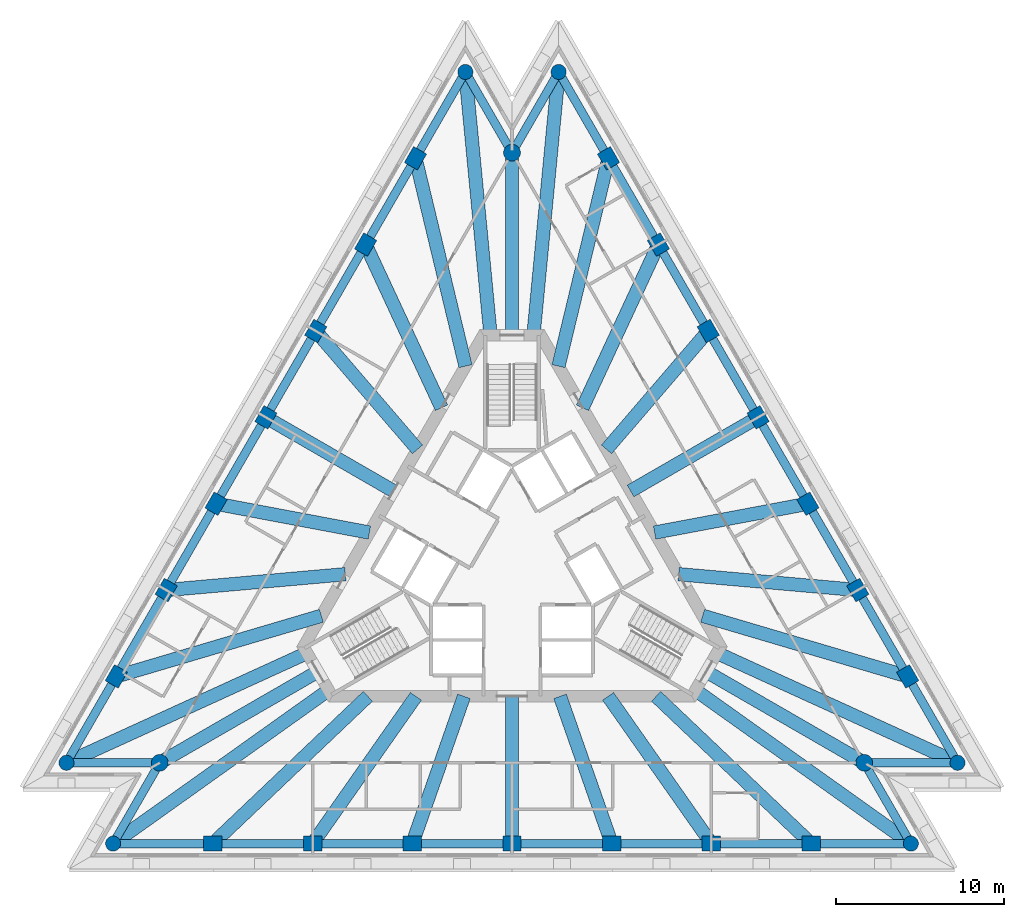
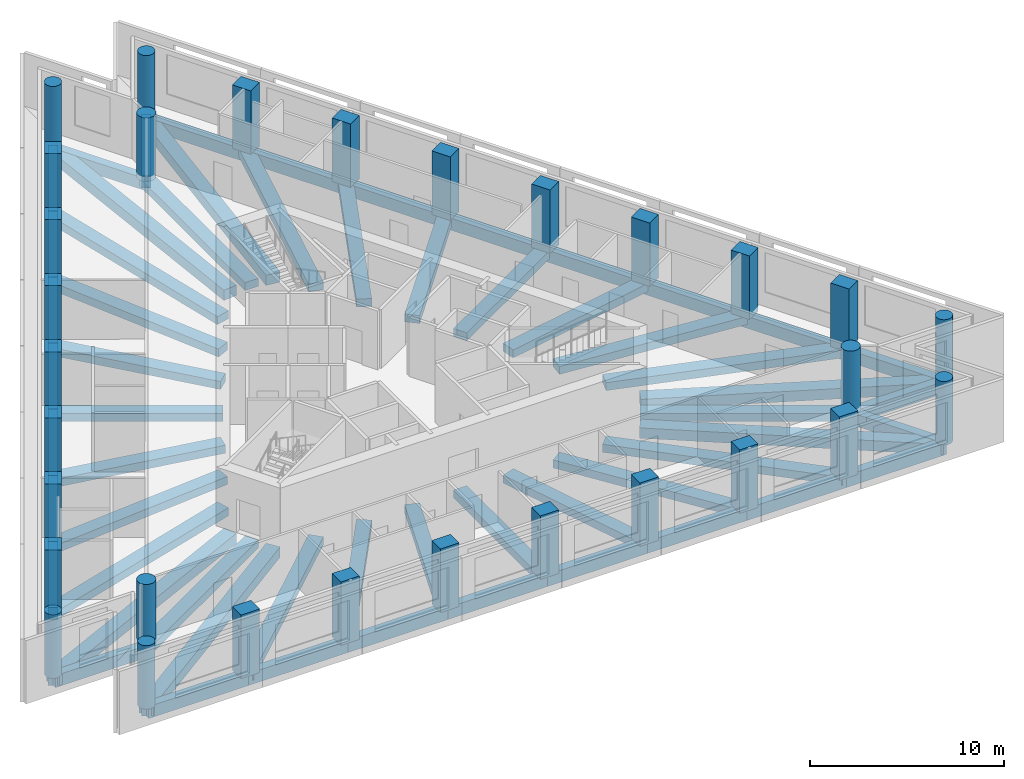
# One storey, part 1 of 9: 60 beams, 30 columns.
"""IFC4 building model written with IfcOpenShell, lengths in metres."""

from ifc_helpers import new_model, si_unit, direction, frame, origin, origin_2d, place, context, subcontext, project, spatial, rectangle, circle, extrude, material, material_profile, profile_set, type_object, element, save


model = new_model("IFC4")

# Units and contexts
model_context = context("Model", 3, precision=1e-05, world=origin(), true_north=direction((0.0, 1.0)))
body_context = subcontext(model_context, "Body", "Model", "MODEL_VIEW")
ifc_project = project(units=[si_unit("LENGTHUNIT", "METRE"), si_unit("AREAUNIT", "SQUARE_METRE"), si_unit("VOLUMEUNIT", "CUBIC_METRE"), si_unit("PLANEANGLEUNIT", "RADIAN"), si_unit("MASSUNIT", "GRAM", prefix="KILO")], contexts=[model_context])

# Site, building, storey
site_placement = place(None, origin())
site = spatial("IfcSite", under=ifc_project, at=site_placement, CompositionType="ELEMENT")
building_placement = place(site_placement, origin())
building = spatial("IfcBuilding", under=site, at=building_placement, Name="Triada Interchange Tower", CompositionType="ELEMENT")
storey_placement = place(building_placement, frame((0.0, 0.0, 227.300048828125)))
storey = spatial("IfcBuildingStorey", under=building, at=storey_placement, Name="L53", CompositionType="ELEMENT", Elevation=227.300048828125)

# Columns
ifc_material = material(Name="Concrete C50/60", Category="concrete")
ifc_material_profile_1 = material_profile(ifc_material, rectangle(XDim=1.10009765625, YDim=0.89990234375, at=origin_2d()), Name="RC 1100x900")
ifc_profile_set_1 = profile_set([ifc_material_profile_1], Name="Concrete C50/60")
column_type_1 = type_object("IfcColumnType", Name="Column C face RC 1100x900", PredefinedType="COLUMN", material=ifc_profile_set_1)
for number, where, z_axis, x_axis, name in (
    (1, (-5.7451171875, 23.882080078125, -0.300048828125), (0.0, 0.0, 1.0), (0.5, 0.866025403784, 0.0), "Column CC02 L53"),
    (2, (-8.714111328125, 18.740966796875, -0.300048828125), (0.0, 0.0, 1.0), (0.5, 0.866025403784, 0.0), "Column CC03 L53"),
    (3, (-11.681884765625, 13.60009765625, -0.300048828125), (0.0, 0.0, 1.0), (0.5, 0.866025403784, 0.0), "Column CC04 L53"),
    (4, (-14.65087890625, 8.4580078125, -0.300048828125), (0.0, 0.0, 1.0), (0.5, 0.866025403784, 0.0), "Column CC05 L53"),
    (5, (-17.618896484375, 3.31689453125, -0.300048828125), (0.0, 0.0, 1.0), (0.5, 0.866025403784, 0.0), "Column CC06 L53"),
    (6, (-20.5869140625, -1.823974609375, -0.300048828125), (0.0, 0.0, 1.0), (0.5, 0.866025403784, 0.0), "Column CC07 L53"),
    (7, (-23.555908203125, -6.965087890625, -0.300048828125), (0.0, 0.0, 1.0), (0.5, 0.866025403784, 0.0), "Column CC08 L53"),
    (8, (-17.81005859375, -16.9169921875, -0.300048828125), (0.0, 0.0, 1.0), (1.0, 0.0, 0.0), "Column CC11 L53"),
    (9, (-11.873046875, -16.9169921875, -0.300048828125), (0.0, 0.0, 1.0), (1.0, 0.0, 0.0), "Column CC12 L53"),
    (10, (-5.93603515625, -16.9169921875, -0.300048828125), (0.0, 0.0, 1.0), (1.0, 0.0, 0.0), "Column CC13 L53"),
    (11, (0.0, -16.9169921875, -0.300048828125), (0.0, 0.0, 1.0), (1.0, 0.0, 0.0), "Column CC14 L53"),
    (12, (5.93603515625, -16.9169921875, -0.300048828125), (0.0, 0.0, 1.0), (1.0, 0.0, 0.0), "Column CC15 L53"),
    (13, (11.873046875, -16.9169921875, -0.300048828125), (0.0, 0.0, 1.0), (1.0, 0.0, 0.0), "Column CC16 L53"),
    (14, (17.80908203125, -16.9169921875, -0.300048828125), (0.0, 0.0, 1.0), (1.0, 0.0, 0.0), "Column CC17 L53"),
    (15, (23.555908203125, -6.965087890625, -0.300048828125), (0.0, 0.0, 1.0), (-0.5, 0.866025403784, 0.0), "Column CC20 L53"),
    (16, (20.5869140625, -1.823974609375, -0.300048828125), (0.0, 0.0, 1.0), (-0.5, 0.866025403784, 0.0), "Column CC21 L53"),
    (17, (17.618896484375, 3.31689453125, -0.300048828125), (0.0, 0.0, 1.0), (-0.5, 0.866025403784, 0.0), "Column CC22 L53"),
    (18, (14.65087890625, 8.4580078125, -0.300048828125), (0.0, 0.0, 1.0), (-0.5, 0.866025403784, 0.0), "Column CC23 L53"),
    (19, (11.681884765625, 13.60009765625, -0.300048828125), (0.0, 0.0, 1.0), (-0.5, 0.866025403784, 0.0), "Column CC24 L53"),
    (20, (8.714111328125, 18.740966796875, -0.300048828125), (0.0, 0.0, 1.0), (-0.5, 0.866025403784, 0.0), "Column CC25 L53"),
    (21, (5.7451171875, 23.882080078125, -0.300048828125), (0.0, 0.0, 1.0), (-0.5, 0.866025403784, 0.0), "Column CC26 L53"),
):
    element("IfcColumn", number, at=place(storey_placement, frame(where, z_axis=z_axis, x_axis=x_axis)), inside=storey, type_object=column_type_1, Name=name, PredefinedType="COLUMN", context=body_context, shape_type="SweptSolid", body=[
        extrude(rectangle(XDim=1.10009765625, YDim=0.89990234375, at=origin_2d()), origin(), (0.0, 0.0, 1.0), 4.0),
    ])
ifc_material_profile_2 = material_profile(ifc_material, circle(Radius=0.449951171875, at=origin_2d()), Name="RC D900")
ifc_profile_set_2 = profile_set([ifc_material_profile_2], Name="Concrete C50/60")
column_type_2 = type_object("IfcColumnType", Name="End column C RC D900", PredefinedType="COLUMN", material=ifc_profile_set_2)
for number, where, z_axis, x_axis, name in (
    (22, (-2.777099609375, 29.02294921875, -0.300048828125), (0.0, 0.0, 1.0), (0.5, 0.866025403784, 0.0), "Column CC01 L53"),
    (23, (-26.52392578125, -12.10595703125, -0.300048828125), (0.0, 0.0, 1.0), (0.5, 0.866025403784, 0.0), "Column CC09 L53"),
    (24, (-23.74609375, -16.9169921875, -0.300048828125), (0.0, 0.0, 1.0), (1.0, 0.0, 0.0), "Column CC10 L53"),
    (25, (23.74609375, -16.9169921875, -0.300048828125), (0.0, 0.0, 1.0), (1.0, 0.0, 0.0), "Column CC18 L53"),
    (26, (26.52392578125, -12.10595703125, -0.300048828125), (0.0, 0.0, 1.0), (-0.5, 0.866025403784, 0.0), "Column CC19 L53"),
    (27, (2.777099609375, 29.02294921875, -0.300048828125), (0.0, 0.0, 1.0), (-0.5, 0.866025403784, 0.0), "Column CC27 L53"),
):
    element("IfcColumn", number, at=place(storey_placement, frame(where, z_axis=z_axis, x_axis=x_axis)), inside=storey, type_object=column_type_2, Name=name, PredefinedType="COLUMN", context=body_context, shape_type="SweptSolid", body=[
        extrude(circle(Radius=0.449951171875, at=origin_2d()), origin(), (0.0, 0.0, 1.0), 4.0),
    ])
ifc_material_profile_3 = material_profile(ifc_material, circle(Radius=0.5, at=origin_2d()), Name="RC D1000")
ifc_profile_set_3 = profile_set([ifc_material_profile_3], Name="Concrete C50/60")
column_type_3 = type_object("IfcColumnType", Name="Mega column C RC D1000", PredefinedType="COLUMN", material=ifc_profile_set_3)
for number, where, z_axis, x_axis, name in (
    (28, (0.0, 24.212890625, -0.300048828125), (0.0, 0.0, 1.0), (1.0, 0.0, 0.0), "Column MC1 L53"),
    (29, (-20.968994140625, -12.10595703125, -0.300048828125), (0.0, 0.0, 1.0), (1.0, 0.0, 0.0), "Column MC2 L53"),
    (30, (20.968994140625, -12.10595703125, -0.300048828125), (0.0, 0.0, 1.0), (1.0, 0.0, 0.0), "Column MC3 L53"),
):
    element("IfcColumn", number, at=place(storey_placement, frame(where, z_axis=z_axis, x_axis=x_axis)), inside=storey, type_object=column_type_3, Name=name, PredefinedType="COLUMN", context=body_context, shape_type="SweptSolid", body=[
        extrude(circle(Radius=0.5, at=origin_2d()), origin(), (0.0, 0.0, 1.0), 4.0),
    ])

# Beams
ifc_material_profile_4 = material_profile(ifc_material, rectangle(XDim=0.800048828125, YDim=0.5, at=origin_2d()), Name="RC 800x500")
ifc_profile_set_4 = profile_set([ifc_material_profile_4], Name="Concrete C50/60")
beam_type_1 = type_object("IfcBeamType", Name="Radial band beam C RC 800x500", PredefinedType="BEAM", material=ifc_profile_set_4)
beam_1_placement = place(storey_placement, frame((-5.7451171875, 23.882080078125, -0.550048828125), z_axis=(0.233879257631, -0.972265649321, 0.0), x_axis=(0.972265649321, 0.233879257631, 0.0)))
element("IfcBeam", 31, at=beam_1_placement, inside=storey, type_object=beam_type_1, Name="Radial band beam BC02 L53", PredefinedType="BEAM", context=body_context, shape_type="SweptSolid", body=[
    extrude(rectangle(XDim=0.800048828125, YDim=0.5, at=origin_2d()), origin(), (0.0, 0.0, 1.0), 12.72900390625),
])
beam_2_placement = place(storey_placement, frame((-8.714111328125, 18.740966796875, -0.550048828125), z_axis=(0.421649685725, -0.906758811663, 0.0), x_axis=(0.906758811663, 0.421649685725, 0.0)))
element("IfcBeam", 32, at=beam_2_placement, inside=storey, type_object=beam_type_1, Name="Radial band beam BC03 L53", PredefinedType="BEAM", context=body_context, shape_type="SweptSolid", body=[
    extrude(rectangle(XDim=0.800048828125, YDim=0.5, at=origin_2d()), origin(), (0.0, 0.0, 1.0), 10.710693359375),
])
beam_3_placement = place(storey_placement, frame((-11.681884765625, 13.60009765625, -0.550048828125), z_axis=(0.651580865015, -0.758579182648, 0.0), x_axis=(0.758579182648, 0.651580865015, 0.0)))
element("IfcBeam", 33, at=beam_3_placement, inside=storey, type_object=beam_type_1, Name="Radial band beam BC04 L53", PredefinedType="BEAM", context=body_context, shape_type="SweptSolid", body=[
    extrude(rectangle(XDim=0.800048828125, YDim=0.5, at=origin_2d()), origin(), (0.0, 0.0, 1.0), 9.291259765625),
])
beam_4_placement = place(storey_placement, frame((-14.65087890625, 8.4580078125, -0.550048828125), z_axis=(0.86605667378, -0.499945834867, 0.0), x_axis=(0.499945834867, 0.86605667378, 0.0)))
element("IfcBeam", 34, at=beam_4_placement, inside=storey, type_object=beam_type_1, Name="Radial band beam BC05 L53", PredefinedType="BEAM", context=body_context, shape_type="SweptSolid", body=[
    extrude(rectangle(XDim=0.800048828125, YDim=0.5, at=origin_2d()), origin(), (0.0, 0.0, 1.0), 8.76708984375),
])
beam_5_placement = place(storey_placement, frame((-17.618896484375, 3.31689453125, -0.550048828125), z_axis=(0.982736275121, -0.185011928159, 0.0), x_axis=(0.185011928159, 0.982736275121, 0.0)))
element("IfcBeam", 35, at=beam_5_placement, inside=storey, type_object=beam_type_1, Name="Radial band beam BC06 L53", PredefinedType="BEAM", context=body_context, shape_type="SweptSolid", body=[
    extrude(rectangle(XDim=0.800048828125, YDim=0.5, at=origin_2d()), origin(), (0.0, 0.0, 1.0), 9.291259765625),
])
beam_6_placement = place(storey_placement, frame((-20.5869140625, -1.823974609375, -0.550048828125), z_axis=(0.996099621029, 0.088235735309, 0.0), x_axis=(-0.088235735309, 0.996099621029, 0.0)))
element("IfcBeam", 36, at=beam_6_placement, inside=storey, type_object=beam_type_1, Name="Radial band beam BC07 L53", PredefinedType="BEAM", context=body_context, shape_type="SweptSolid", body=[
    extrude(rectangle(XDim=0.800048828125, YDim=0.5, at=origin_2d()), origin(), (0.0, 0.0, 1.0), 10.710693359375),
])
beam_7_placement = place(storey_placement, frame((-23.555908203125, -6.965087890625, -0.550048828125), z_axis=(0.958949461364, 0.283577027542, 0.0), x_axis=(-0.283577027542, 0.958949461364, 0.0)))
element("IfcBeam", 37, at=beam_7_placement, inside=storey, type_object=beam_type_1, Name="Radial band beam BC08 L53", PredefinedType="BEAM", context=body_context, shape_type="SweptSolid", body=[
    extrude(rectangle(XDim=0.800048828125, YDim=0.5, at=origin_2d()), origin(), (0.0, 0.0, 1.0), 12.730712890625),
])
beam_8_placement = place(storey_placement, frame((-20.968994140625, -12.10595703125, -0.550048828125), z_axis=(0.866033999634, 0.499985111257, 0.0), x_axis=(-0.499985111257, 0.866033999634, 0.0)))
element("IfcBeam", 38, at=beam_8_placement, inside=storey, type_object=beam_type_1, Name="Radial band beam BC10 L53", PredefinedType="BEAM", context=body_context, shape_type="SweptSolid", body=[
    extrude(rectangle(XDim=0.800048828125, YDim=0.5, at=origin_2d()), origin(), (0.0, 0.0, 1.0), 10.862060546875),
])
beam_9_placement = place(storey_placement, frame((-17.81005859375, -16.9169921875, -0.550048828125), z_axis=(0.725054017589, 0.688692000519, 0.0), x_axis=(-0.688692000519, 0.725054017589, 0.0)))
element("IfcBeam", 39, at=beam_9_placement, inside=storey, type_object=beam_type_1, Name="Radial band beam BC12 L53", PredefinedType="BEAM", context=body_context, shape_type="SweptSolid", body=[
    extrude(rectangle(XDim=0.800048828125, YDim=0.5, at=origin_2d()), origin(), (0.0, 0.0, 1.0), 12.72998046875),
])
beam_10_placement = place(storey_placement, frame((-11.873046875, -16.9169921875, -0.550048828125), z_axis=(0.574471566086, 0.818524538275, 0.0), x_axis=(-0.818524538275, 0.574471566086, 0.0)))
element("IfcBeam", 40, at=beam_10_placement, inside=storey, type_object=beam_type_1, Name="Radial band beam BC13 L53", PredefinedType="BEAM", context=body_context, shape_type="SweptSolid", body=[
    extrude(rectangle(XDim=0.800048828125, YDim=0.5, at=origin_2d()), origin(), (0.0, 0.0, 1.0), 10.7109375),
])
beam_11_placement = place(storey_placement, frame((-5.93603515625, -16.9169921875, -0.550048828125), z_axis=(0.33106431636, 0.943608191165, 0.0), x_axis=(-0.943608191165, 0.33106431636, 0.0)))
element("IfcBeam", 41, at=beam_11_placement, inside=storey, type_object=beam_type_1, Name="Radial band beam BC14 L53", PredefinedType="BEAM", context=body_context, shape_type="SweptSolid", body=[
    extrude(rectangle(XDim=0.800048828125, YDim=0.5, at=origin_2d()), origin(), (0.0, 0.0, 1.0), 9.291015625),
])
beam_12_placement = place(storey_placement, frame((0.0, -16.9169921875, -0.550048828125), z_axis=(0.0, 1.0, 0.0), x_axis=(-1.0, 0.0, 0.0)))
element("IfcBeam", 42, at=beam_12_placement, inside=storey, type_object=beam_type_1, Name="Radial band beam BC15 L53", PredefinedType="BEAM", context=body_context, shape_type="SweptSolid", body=[
    extrude(rectangle(XDim=0.800048828125, YDim=0.5, at=origin_2d()), origin(), (0.0, 0.0, 1.0), 8.76708984375),
])
beam_13_placement = place(storey_placement, frame((5.93603515625, -16.9169921875, -0.550048828125), z_axis=(-0.33106431636, 0.943608191165, 0.0), x_axis=(-0.943608191165, -0.33106431636, 0.0)))
element("IfcBeam", 43, at=beam_13_placement, inside=storey, type_object=beam_type_1, Name="Radial band beam BC16 L53", PredefinedType="BEAM", context=body_context, shape_type="SweptSolid", body=[
    extrude(rectangle(XDim=0.800048828125, YDim=0.5, at=origin_2d()), origin(), (0.0, 0.0, 1.0), 9.291015625),
])
beam_14_placement = place(storey_placement, frame((11.873046875, -16.9169921875, -0.550048828125), z_axis=(-0.574471566086, 0.818524538275, 0.0), x_axis=(-0.818524538275, -0.574471566086, 0.0)))
element("IfcBeam", 44, at=beam_14_placement, inside=storey, type_object=beam_type_1, Name="Radial band beam BC17 L53", PredefinedType="BEAM", context=body_context, shape_type="SweptSolid", body=[
    extrude(rectangle(XDim=0.800048828125, YDim=0.5, at=origin_2d()), origin(), (0.0, 0.0, 1.0), 10.7109375),
])
beam_15_placement = place(storey_placement, frame((17.80908203125, -16.9169921875, -0.550048828125), z_axis=(-0.725017629777, 0.688730307531, 0.0), x_axis=(-0.688730307531, -0.725017629777, 0.0)))
element("IfcBeam", 45, at=beam_15_placement, inside=storey, type_object=beam_type_1, Name="Radial band beam BC18 L53", PredefinedType="BEAM", context=body_context, shape_type="SweptSolid", body=[
    extrude(rectangle(XDim=0.800048828125, YDim=0.5, at=origin_2d()), origin(), (0.0, 0.0, 1.0), 12.729248046875),
])
beam_16_placement = place(storey_placement, frame((20.968994140625, -12.10595703125, -0.550048828125), z_axis=(-0.866033999634, 0.499985111257, 0.0), x_axis=(-0.499985111257, -0.866033999634, 0.0)))
element("IfcBeam", 46, at=beam_16_placement, inside=storey, type_object=beam_type_1, Name="Radial band beam BC20 L53", PredefinedType="BEAM", context=body_context, shape_type="SweptSolid", body=[
    extrude(rectangle(XDim=0.800048828125, YDim=0.5, at=origin_2d()), origin(), (0.0, 0.0, 1.0), 10.862060546875),
])
beam_17_placement = place(storey_placement, frame((23.555908203125, -6.965087890625, -0.550048828125), z_axis=(-0.958949461364, 0.283577027542, 0.0), x_axis=(-0.283577027542, -0.958949461364, 0.0)))
element("IfcBeam", 47, at=beam_17_placement, inside=storey, type_object=beam_type_1, Name="Radial band beam BC22 L53", PredefinedType="BEAM", context=body_context, shape_type="SweptSolid", body=[
    extrude(rectangle(XDim=0.800048828125, YDim=0.5, at=origin_2d()), origin(), (0.0, 0.0, 1.0), 12.730712890625),
])
beam_18_placement = place(storey_placement, frame((20.5869140625, -1.823974609375, -0.550048828125), z_axis=(-0.996099621029, 0.088235735309, 0.0), x_axis=(-0.088235735309, -0.996099621029, 0.0)))
element("IfcBeam", 48, at=beam_18_placement, inside=storey, type_object=beam_type_1, Name="Radial band beam BC23 L53", PredefinedType="BEAM", context=body_context, shape_type="SweptSolid", body=[
    extrude(rectangle(XDim=0.800048828125, YDim=0.5, at=origin_2d()), origin(), (0.0, 0.0, 1.0), 10.710693359375),
])
beam_19_placement = place(storey_placement, frame((17.618896484375, 3.31689453125, -0.550048828125), z_axis=(-0.982736275121, -0.185011928159, 0.0), x_axis=(0.185011928159, -0.982736275121, 0.0)))
element("IfcBeam", 49, at=beam_19_placement, inside=storey, type_object=beam_type_1, Name="Radial band beam BC24 L53", PredefinedType="BEAM", context=body_context, shape_type="SweptSolid", body=[
    extrude(rectangle(XDim=0.800048828125, YDim=0.5, at=origin_2d()), origin(), (0.0, 0.0, 1.0), 9.291259765625),
])
beam_20_placement = place(storey_placement, frame((14.65087890625, 8.4580078125, -0.550048828125), z_axis=(-0.86605667378, -0.499945834867, 0.0), x_axis=(0.499945834867, -0.86605667378, 0.0)))
element("IfcBeam", 50, at=beam_20_placement, inside=storey, type_object=beam_type_1, Name="Radial band beam BC25 L53", PredefinedType="BEAM", context=body_context, shape_type="SweptSolid", body=[
    extrude(rectangle(XDim=0.800048828125, YDim=0.5, at=origin_2d()), origin(), (0.0, 0.0, 1.0), 8.76708984375),
])
beam_21_placement = place(storey_placement, frame((11.681884765625, 13.60009765625, -0.550048828125), z_axis=(-0.651580865015, -0.758579182648, 0.0), x_axis=(0.758579182648, -0.651580865015, 0.0)))
element("IfcBeam", 51, at=beam_21_placement, inside=storey, type_object=beam_type_1, Name="Radial band beam BC26 L53", PredefinedType="BEAM", context=body_context, shape_type="SweptSolid", body=[
    extrude(rectangle(XDim=0.800048828125, YDim=0.5, at=origin_2d()), origin(), (0.0, 0.0, 1.0), 9.291259765625),
])
beam_22_placement = place(storey_placement, frame((8.714111328125, 18.740966796875, -0.550048828125), z_axis=(-0.421649685725, -0.906758811663, 0.0), x_axis=(0.906758811663, -0.421649685725, 0.0)))
element("IfcBeam", 52, at=beam_22_placement, inside=storey, type_object=beam_type_1, Name="Radial band beam BC27 L53", PredefinedType="BEAM", context=body_context, shape_type="SweptSolid", body=[
    extrude(rectangle(XDim=0.800048828125, YDim=0.5, at=origin_2d()), origin(), (0.0, 0.0, 1.0), 10.710693359375),
])
beam_23_placement = place(storey_placement, frame((5.7451171875, 23.882080078125, -0.550048828125), z_axis=(-0.233879257631, -0.972265649321, 0.0), x_axis=(0.972265649321, -0.233879257631, 0.0)))
element("IfcBeam", 53, at=beam_23_placement, inside=storey, type_object=beam_type_1, Name="Radial band beam BC28 L53", PredefinedType="BEAM", context=body_context, shape_type="SweptSolid", body=[
    extrude(rectangle(XDim=0.800048828125, YDim=0.5, at=origin_2d()), origin(), (0.0, 0.0, 1.0), 12.72900390625),
])
beam_24_placement = place(storey_placement, frame((0.0, 24.212890625, -0.550048828125), z_axis=(0.0, -1.0, 0.0), x_axis=(1.0, 0.0, 0.0)))
element("IfcBeam", 54, at=beam_24_placement, inside=storey, type_object=beam_type_1, Name="Radial band beam BC30 L53", PredefinedType="BEAM", context=body_context, shape_type="SweptSolid", body=[
    extrude(rectangle(XDim=0.800048828125, YDim=0.5, at=origin_2d()), origin(), (0.0, 0.0, 1.0), 10.86279296875),
])
ifc_material_profile_5 = material_profile(ifc_material, rectangle(XDim=0.800048828125, YDim=0.64990234375, at=origin_2d()), Name="RC 800x650")
ifc_profile_set_5 = profile_set([ifc_material_profile_5], Name="Concrete C50/60")
beam_type_2 = type_object("IfcBeamType", Name="Radial band beam C RC 800x650", PredefinedType="BEAM", material=ifc_profile_set_5)
beam_25_placement = place(storey_placement, frame((-2.777099609375, 29.02294921875, -0.625), z_axis=(0.095271557567, -0.995451319914, 0.0), x_axis=(0.995451319914, 0.095271557567, 0.0)))
element("IfcBeam", 55, at=beam_25_placement, inside=storey, type_object=beam_type_2, Name="Radial band beam BC01 L53", PredefinedType="BEAM", context=body_context, shape_type="SweptSolid", body=[
    extrude(rectangle(XDim=0.800048828125, YDim=0.64990234375, at=origin_2d()), origin(), (0.0, 0.0, 1.0), 15.744384765625),
])
beam_26_placement = place(storey_placement, frame((-26.52392578125, -12.10595703125, -0.625), z_axis=(0.909720728045, 0.41522066057, 0.0), x_axis=(-0.41522066057, 0.909720728045, 0.0)))
element("IfcBeam", 56, at=beam_26_placement, inside=storey, type_object=beam_type_2, Name="Radial band beam BC09 L53", PredefinedType="BEAM", context=body_context, shape_type="SweptSolid", body=[
    extrude(rectangle(XDim=0.800048828125, YDim=0.64990234375, at=origin_2d()), origin(), (0.0, 0.0, 1.0), 15.745361328125),
])
for number, where, z_axis, x_axis, name in (
    (57, (-23.74609375, -16.9169921875, -0.625), (0.814462068042, 0.580216804066, 0.0), (-0.580216804066, 0.814462068042, 0.0), "Radial band beam BC11 L53"),
    (58, (23.74609375, -16.9169921875, -0.625), (-0.814462068042, 0.580216804066, 0.0), (-0.580216804066, -0.814462068042, 0.0), "Radial band beam BC19 L53"),
):
    element("IfcBeam", number, at=place(storey_placement, frame(where, z_axis=z_axis, x_axis=x_axis)), inside=storey, type_object=beam_type_2, Name=name, PredefinedType="BEAM", context=body_context, shape_type="SweptSolid", body=[
        extrude(rectangle(XDim=0.800048828125, YDim=0.64990234375, at=origin_2d()), origin(), (0.0, 0.0, 1.0), 15.744140625),
    ])
beam_27_placement = place(storey_placement, frame((26.52392578125, -12.10595703125, -0.625), z_axis=(-0.909720728045, 0.41522066057, 0.0), x_axis=(-0.41522066057, -0.909720728045, 0.0)))
element("IfcBeam", 59, at=beam_27_placement, inside=storey, type_object=beam_type_2, Name="Radial band beam BC21 L53", PredefinedType="BEAM", context=body_context, shape_type="SweptSolid", body=[
    extrude(rectangle(XDim=0.800048828125, YDim=0.64990234375, at=origin_2d()), origin(), (0.0, 0.0, 1.0), 15.745361328125),
])
beam_28_placement = place(storey_placement, frame((2.777099609375, 29.02294921875, -0.625), z_axis=(-0.095271557567, -0.995451319914, 0.0), x_axis=(0.995451319914, -0.095271557567, 0.0)))
element("IfcBeam", 60, at=beam_28_placement, inside=storey, type_object=beam_type_2, Name="Radial band beam BC29 L53", PredefinedType="BEAM", context=body_context, shape_type="SweptSolid", body=[
    extrude(rectangle(XDim=0.800048828125, YDim=0.64990234375, at=origin_2d()), origin(), (0.0, 0.0, 1.0), 15.744384765625),
])
ifc_material_profile_6 = material_profile(ifc_material, rectangle(XDim=0.5, YDim=0.75, at=origin_2d()), Name="RC 500x750")
ifc_profile_set_6 = profile_set([ifc_material_profile_6], Name="Concrete C50/60")
beam_type_3 = type_object("IfcBeamType", Name="Spandrel beam C RC 500x750", PredefinedType="BEAM", material=ifc_profile_set_6)
beam_29_placement = place(storey_placement, frame((-2.777099609375, 29.02294921875, -0.675048828125), z_axis=(-0.499991837581, -0.866030116308, 0.0), x_axis=(0.866030116308, -0.499991837581, 0.0)))
element("IfcBeam", 61, at=beam_29_placement, inside=storey, type_object=beam_type_3, Name="Spandrel beam EC01 L53", PredefinedType="BEAM", context=body_context, shape_type="SweptSolid", body=[
    extrude(rectangle(XDim=0.5, YDim=0.75, at=origin_2d()), origin(), (0.0, 0.0, 1.0), 5.93603515625),
])
beam_30_placement = place(storey_placement, frame((-5.7451171875, 23.882080078125, -0.675048828125), z_axis=(-0.500097397748, -0.865969163866, 0.0), x_axis=(0.865969163866, -0.500097397748, 0.0)))
element("IfcBeam", 62, at=beam_30_placement, inside=storey, type_object=beam_type_3, Name="Spandrel beam EC02 L53", PredefinedType="BEAM", context=body_context, shape_type="SweptSolid", body=[
    extrude(rectangle(XDim=0.5, YDim=0.75, at=origin_2d()), origin(), (0.0, 0.0, 1.0), 5.936767578125),
])
beam_31_placement = place(storey_placement, frame((-8.714111328125, 18.740966796875, -0.675048828125), z_axis=(-0.499960990372, -0.866047924832, 0.0), x_axis=(0.866047924832, -0.499960990372, 0.0)))
element("IfcBeam", 63, at=beam_31_placement, inside=storey, type_object=beam_type_3, Name="Spandrel beam EC03 L53", PredefinedType="BEAM", context=body_context, shape_type="SweptSolid", body=[
    extrude(rectangle(XDim=0.5, YDim=0.75, at=origin_2d()), origin(), (0.0, 0.0, 1.0), 5.93603515625),
])
beam_32_placement = place(storey_placement, frame((-11.681884765625, 13.60009765625, -0.675048828125), z_axis=(-0.500026169744, -0.866010294149, 0.0), x_axis=(0.866010294149, -0.500026169744, 0.0)))
element("IfcBeam", 64, at=beam_32_placement, inside=storey, type_object=beam_type_3, Name="Spandrel beam EC04 L53", PredefinedType="BEAM", context=body_context, shape_type="SweptSolid", body=[
    extrude(rectangle(XDim=0.5, YDim=0.75, at=origin_2d()), origin(), (0.0, 0.0, 1.0), 5.937744140625),
])
beam_33_placement = place(storey_placement, frame((-14.65087890625, 8.4580078125, -0.675048828125), z_axis=(-0.499974029402, -0.866040397397, 0.0), x_axis=(0.866040397397, -0.499974029402, 0.0)))
element("IfcBeam", 65, at=beam_33_placement, inside=storey, type_object=beam_type_3, Name="Spandrel beam EC05 L53", PredefinedType="BEAM", context=body_context, shape_type="SweptSolid", body=[
    extrude(rectangle(XDim=0.5, YDim=0.75, at=origin_2d()), origin(), (0.0, 0.0, 1.0), 5.936279296875),
])
beam_34_placement = place(storey_placement, frame((-17.618896484375, 3.31689453125, -0.675048828125), z_axis=(-0.499991837581, -0.866030116308, 0.0), x_axis=(0.866030116308, -0.499991837581, 0.0)))
element("IfcBeam", 66, at=beam_34_placement, inside=storey, type_object=beam_type_3, Name="Spandrel beam EC06 L53", PredefinedType="BEAM", context=body_context, shape_type="SweptSolid", body=[
    extrude(rectangle(XDim=0.5, YDim=0.75, at=origin_2d()), origin(), (0.0, 0.0, 1.0), 5.93603515625),
])
beam_35_placement = place(storey_placement, frame((-20.5869140625, -1.823974609375, -0.675048828125), z_axis=(-0.500097397748, -0.865969163866, 0.0), x_axis=(0.865969163866, -0.500097397748, 0.0)))
element("IfcBeam", 67, at=beam_35_placement, inside=storey, type_object=beam_type_3, Name="Spandrel beam EC07 L53", PredefinedType="BEAM", context=body_context, shape_type="SweptSolid", body=[
    extrude(rectangle(XDim=0.5, YDim=0.75, at=origin_2d()), origin(), (0.0, 0.0, 1.0), 5.936767578125),
])
beam_36_placement = place(storey_placement, frame((-23.555908203125, -6.965087890625, -0.675048828125), z_axis=(-0.499991837581, -0.866030116308, 0.0), x_axis=(0.866030116308, -0.499991837581, 0.0)))
element("IfcBeam", 68, at=beam_36_placement, inside=storey, type_object=beam_type_3, Name="Spandrel beam EC08 L53", PredefinedType="BEAM", context=body_context, shape_type="SweptSolid", body=[
    extrude(rectangle(XDim=0.5, YDim=0.75, at=origin_2d()), origin(), (0.0, 0.0, 1.0), 5.93603515625),
])
for number, where, z_axis, x_axis, name in (
    (69, (-26.52392578125, -12.10595703125, -0.675048828125), (1.0, 0.0, 0.0), (0.0, 1.0, 0.0), "Spandrel beam EC09 L53"),
    (70, (-20.968994140625, -12.10595703125, -0.675048828125), (-0.499925358584, -0.866068493737, 0.0), (0.866068493737, -0.499925358584, 0.0), "Spandrel beam EC10 L53"),
):
    element("IfcBeam", number, at=place(storey_placement, frame(where, z_axis=z_axis, x_axis=x_axis)), inside=storey, type_object=beam_type_3, Name=name, PredefinedType="BEAM", context=body_context, shape_type="SweptSolid", body=[
        extrude(rectangle(XDim=0.5, YDim=0.75, at=origin_2d()), origin(), (0.0, 0.0, 1.0), 5.554931640625),
    ])
beam_37_placement = place(storey_placement, frame((-23.74609375, -16.9169921875, -0.675048828125), z_axis=(1.0, 0.0, 0.0), x_axis=(0.0, 1.0, 0.0)))
element("IfcBeam", 71, at=beam_37_placement, inside=storey, type_object=beam_type_3, Name="Spandrel beam EC11 L53", PredefinedType="BEAM", context=body_context, shape_type="SweptSolid", body=[
    extrude(rectangle(XDim=0.5, YDim=0.75, at=origin_2d()), origin(), (0.0, 0.0, 1.0), 5.93603515625),
])
for number, where, z_axis, x_axis, name in (
    (72, (-17.81005859375, -16.9169921875, -0.675048828125), (1.0, 0.0, 0.0), (0.0, 1.0, 0.0), "Spandrel beam EC12 L53"),
    (73, (-11.873046875, -16.9169921875, -0.675048828125), (1.0, 0.0, 0.0), (0.0, 1.0, 0.0), "Spandrel beam EC13 L53"),
):
    element("IfcBeam", number, at=place(storey_placement, frame(where, z_axis=z_axis, x_axis=x_axis)), inside=storey, type_object=beam_type_3, Name=name, PredefinedType="BEAM", context=body_context, shape_type="SweptSolid", body=[
        extrude(rectangle(XDim=0.5, YDim=0.75, at=origin_2d()), origin(), (0.0, 0.0, 1.0), 5.93701171875),
    ])
for number, where, z_axis, x_axis, name in (
    (74, (-5.93603515625, -16.9169921875, -0.675048828125), (1.0, 0.0, 0.0), (0.0, 1.0, 0.0), "Spandrel beam EC14 L53"),
    (75, (0.0, -16.9169921875, -0.675048828125), (1.0, 0.0, 0.0), (0.0, 1.0, 0.0), "Spandrel beam EC15 L53"),
):
    element("IfcBeam", number, at=place(storey_placement, frame(where, z_axis=z_axis, x_axis=x_axis)), inside=storey, type_object=beam_type_3, Name=name, PredefinedType="BEAM", context=body_context, shape_type="SweptSolid", body=[
        extrude(rectangle(XDim=0.5, YDim=0.75, at=origin_2d()), origin(), (0.0, 0.0, 1.0), 5.93603515625),
    ])
beam_38_placement = place(storey_placement, frame((5.93603515625, -16.9169921875, -0.675048828125), z_axis=(1.0, 0.0, 0.0), x_axis=(0.0, 1.0, 0.0)))
element("IfcBeam", 76, at=beam_38_placement, inside=storey, type_object=beam_type_3, Name="Spandrel beam EC16 L53", PredefinedType="BEAM", context=body_context, shape_type="SweptSolid", body=[
    extrude(rectangle(XDim=0.5, YDim=0.75, at=origin_2d()), origin(), (0.0, 0.0, 1.0), 5.93701171875),
])
beam_39_placement = place(storey_placement, frame((11.873046875, -16.9169921875, -0.675048828125), z_axis=(1.0, 0.0, 0.0), x_axis=(0.0, 1.0, 0.0)))
element("IfcBeam", 77, at=beam_39_placement, inside=storey, type_object=beam_type_3, Name="Spandrel beam EC17 L53", PredefinedType="BEAM", context=body_context, shape_type="SweptSolid", body=[
    extrude(rectangle(XDim=0.5, YDim=0.75, at=origin_2d()), origin(), (0.0, 0.0, 1.0), 5.93603515625),
])
beam_40_placement = place(storey_placement, frame((17.80908203125, -16.9169921875, -0.675048828125), z_axis=(1.0, 0.0, 0.0), x_axis=(0.0, 1.0, 0.0)))
element("IfcBeam", 78, at=beam_40_placement, inside=storey, type_object=beam_type_3, Name="Spandrel beam EC18 L53", PredefinedType="BEAM", context=body_context, shape_type="SweptSolid", body=[
    extrude(rectangle(XDim=0.5, YDim=0.75, at=origin_2d()), origin(), (0.0, 0.0, 1.0), 5.93701171875),
])
for number, where, z_axis, x_axis, name in (
    (79, (23.74609375, -16.9169921875, -0.675048828125), (-0.499925358584, 0.866068493737, 0.0), (-0.866068493737, -0.499925358584, 0.0), "Spandrel beam EC19 L53"),
    (80, (20.968994140625, -12.10595703125, -0.675048828125), (1.0, 0.0, 0.0), (0.0, 1.0, 0.0), "Spandrel beam EC20 L53"),
):
    element("IfcBeam", number, at=place(storey_placement, frame(where, z_axis=z_axis, x_axis=x_axis)), inside=storey, type_object=beam_type_3, Name=name, PredefinedType="BEAM", context=body_context, shape_type="SweptSolid", body=[
        extrude(rectangle(XDim=0.5, YDim=0.75, at=origin_2d()), origin(), (0.0, 0.0, 1.0), 5.554931640625),
    ])
beam_41_placement = place(storey_placement, frame((26.52392578125, -12.10595703125, -0.675048828125), z_axis=(-0.499991837581, 0.866030116308, 0.0), x_axis=(-0.866030116308, -0.499991837581, 0.0)))
element("IfcBeam", 81, at=beam_41_placement, inside=storey, type_object=beam_type_3, Name="Spandrel beam EC21 L53", PredefinedType="BEAM", context=body_context, shape_type="SweptSolid", body=[
    extrude(rectangle(XDim=0.5, YDim=0.75, at=origin_2d()), origin(), (0.0, 0.0, 1.0), 5.93603515625),
])
beam_42_placement = place(storey_placement, frame((23.555908203125, -6.965087890625, -0.675048828125), z_axis=(-0.500097397748, 0.865969163866, 0.0), x_axis=(-0.865969163866, -0.500097397748, 0.0)))
element("IfcBeam", 82, at=beam_42_placement, inside=storey, type_object=beam_type_3, Name="Spandrel beam EC22 L53", PredefinedType="BEAM", context=body_context, shape_type="SweptSolid", body=[
    extrude(rectangle(XDim=0.5, YDim=0.75, at=origin_2d()), origin(), (0.0, 0.0, 1.0), 5.936767578125),
])
beam_43_placement = place(storey_placement, frame((20.5869140625, -1.823974609375, -0.675048828125), z_axis=(-0.499991837581, 0.866030116308, 0.0), x_axis=(-0.866030116308, -0.499991837581, 0.0)))
element("IfcBeam", 83, at=beam_43_placement, inside=storey, type_object=beam_type_3, Name="Spandrel beam EC23 L53", PredefinedType="BEAM", context=body_context, shape_type="SweptSolid", body=[
    extrude(rectangle(XDim=0.5, YDim=0.75, at=origin_2d()), origin(), (0.0, 0.0, 1.0), 5.93603515625),
])
beam_44_placement = place(storey_placement, frame((17.618896484375, 3.31689453125, -0.675048828125), z_axis=(-0.499974029402, 0.866040397397, 0.0), x_axis=(-0.866040397397, -0.499974029402, 0.0)))
element("IfcBeam", 84, at=beam_44_placement, inside=storey, type_object=beam_type_3, Name="Spandrel beam EC24 L53", PredefinedType="BEAM", context=body_context, shape_type="SweptSolid", body=[
    extrude(rectangle(XDim=0.5, YDim=0.75, at=origin_2d()), origin(), (0.0, 0.0, 1.0), 5.936279296875),
])
beam_45_placement = place(storey_placement, frame((14.65087890625, 8.4580078125, -0.675048828125), z_axis=(-0.500026169744, 0.866010294149, 0.0), x_axis=(-0.866010294149, -0.500026169744, 0.0)))
element("IfcBeam", 85, at=beam_45_placement, inside=storey, type_object=beam_type_3, Name="Spandrel beam EC25 L53", PredefinedType="BEAM", context=body_context, shape_type="SweptSolid", body=[
    extrude(rectangle(XDim=0.5, YDim=0.75, at=origin_2d()), origin(), (0.0, 0.0, 1.0), 5.937744140625),
])
beam_46_placement = place(storey_placement, frame((11.681884765625, 13.60009765625, -0.675048828125), z_axis=(-0.499960990372, 0.866047924832, 0.0), x_axis=(-0.866047924832, -0.499960990372, 0.0)))
element("IfcBeam", 86, at=beam_46_placement, inside=storey, type_object=beam_type_3, Name="Spandrel beam EC26 L53", PredefinedType="BEAM", context=body_context, shape_type="SweptSolid", body=[
    extrude(rectangle(XDim=0.5, YDim=0.75, at=origin_2d()), origin(), (0.0, 0.0, 1.0), 5.93603515625),
])
beam_47_placement = place(storey_placement, frame((8.714111328125, 18.740966796875, -0.675048828125), z_axis=(-0.500097397748, 0.865969163866, 0.0), x_axis=(-0.865969163866, -0.500097397748, 0.0)))
element("IfcBeam", 87, at=beam_47_placement, inside=storey, type_object=beam_type_3, Name="Spandrel beam EC27 L53", PredefinedType="BEAM", context=body_context, shape_type="SweptSolid", body=[
    extrude(rectangle(XDim=0.5, YDim=0.75, at=origin_2d()), origin(), (0.0, 0.0, 1.0), 5.936767578125),
])
beam_48_placement = place(storey_placement, frame((5.7451171875, 23.882080078125, -0.675048828125), z_axis=(-0.499991837581, 0.866030116308, 0.0), x_axis=(-0.866030116308, -0.499991837581, 0.0)))
element("IfcBeam", 88, at=beam_48_placement, inside=storey, type_object=beam_type_3, Name="Spandrel beam EC28 L53", PredefinedType="BEAM", context=body_context, shape_type="SweptSolid", body=[
    extrude(rectangle(XDim=0.5, YDim=0.75, at=origin_2d()), origin(), (0.0, 0.0, 1.0), 5.93603515625),
])
for number, where, z_axis, x_axis, name in (
    (89, (2.777099609375, 29.02294921875, -0.675048828125), (-0.500001483402, -0.86602454734, 0.0), (0.86602454734, -0.500001483402, 0.0), "Spandrel beam EC29 L53"),
    (90, (0.0, 24.212890625, -0.675048828125), (-0.500001483402, 0.86602454734, 0.0), (-0.86602454734, -0.500001483402, 0.0), "Spandrel beam EC30 L53"),
):
    element("IfcBeam", number, at=place(storey_placement, frame(where, z_axis=z_axis, x_axis=x_axis)), inside=storey, type_object=beam_type_3, Name=name, PredefinedType="BEAM", context=body_context, shape_type="SweptSolid", body=[
        extrude(rectangle(XDim=0.5, YDim=0.75, at=origin_2d()), origin(), (0.0, 0.0, 1.0), 5.55419921875),
    ])

save(model, "model.ifc")
